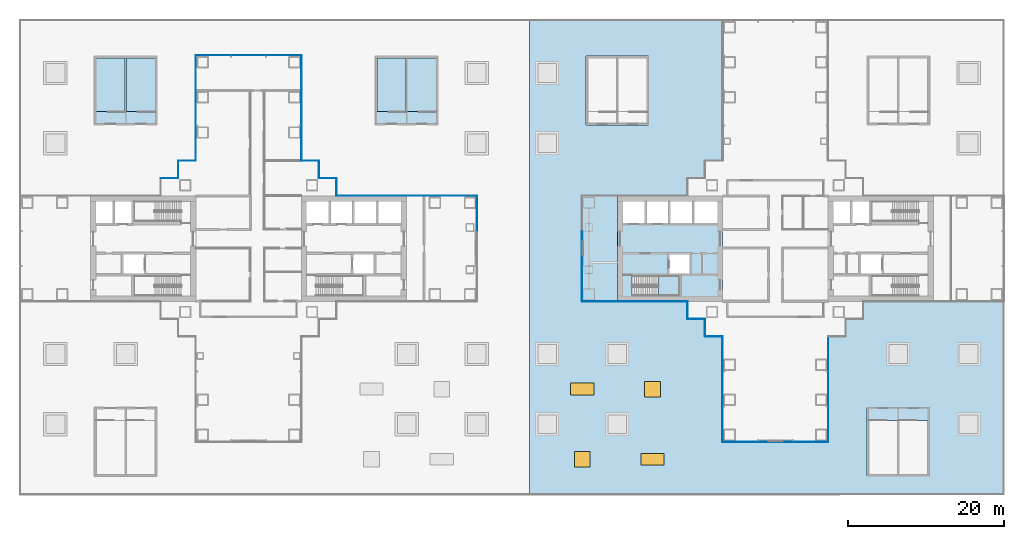
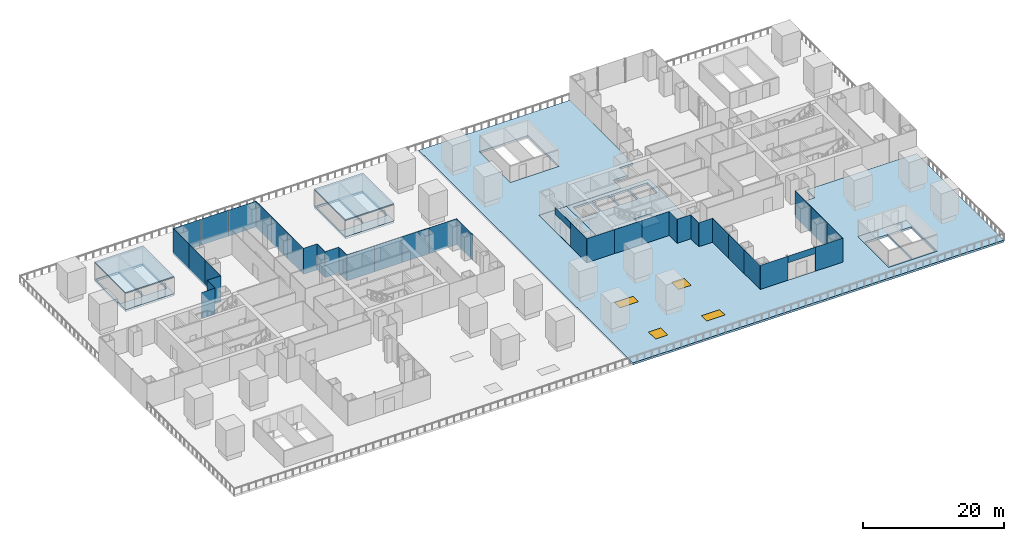
# One storey, part 12 of 23: 39 plates, 9 slabs, 4 windows, 4 openings, 16 elements without a shape of their own.
"""IFC4 building model written with IfcOpenShell, lengths in metres."""

from ifc_helpers import new_model, si_unit, direction, frame, origin, origin_2d, place, context, subcontext, project, spatial, polyline, rectangle, outline, extrude, material, layer, layer_set, type_object, element, fill, aggregate, save


model = new_model("IFC4")

# Units and contexts
model_context = context("Model", 3, precision=1e-05, world=origin(), true_north=direction((0.0, 1.0)))
body_context = subcontext(model_context, "Body", "Model", "MODEL_VIEW")
ifc_project = project(units=[si_unit("LENGTHUNIT", "METRE"), si_unit("AREAUNIT", "SQUARE_METRE"), si_unit("VOLUMEUNIT", "CUBIC_METRE"), si_unit("PLANEANGLEUNIT", "RADIAN"), si_unit("MASSUNIT", "GRAM", prefix="KILO")], contexts=[model_context])

# Site, building, storey
site_placement = place(None, origin())
site = spatial("IfcSite", under=ifc_project, at=site_placement, CompositionType="ELEMENT")
building_placement = place(site_placement, origin())
building = spatial("IfcBuilding", under=site, at=building_placement, Name="Shamsa Quay Exchange Towers", CompositionType="ELEMENT")
storey_placement = place(building_placement, frame((0.0, 0.0, 28.5)))
storey = spatial("IfcBuildingStorey", under=building, at=storey_placement, Name="L05", CompositionType="ELEMENT", Elevation=28.5)

# Slabs
ifc_material_1 = material(Name="Concrete C50/60", Category="concrete")
ifc_layer_1 = layer(ifc_material_1, 0.35009765625)
ifc_layer_set_1 = layer_set([ifc_layer_1], Name="CORE FLOOR 350 C50/60")
slab_type_1 = type_object("IfcSlabType", Name="CORE FLOOR 350 C50/60", PredefinedType="FLOOR", material=ifc_layer_set_1)
slab_1_placement = place(storey_placement, frame((0.0, 0.0, -0.35009765625)))
element("IfcSlab", 1, at=slab_1_placement, inside=storey, type_object=slab_type_1, Name="Core floor T2A", PredefinedType="FLOOR", context=body_context, shape_type="SweptSolid", body=[
    extrude(outline(polyline([(13.5, -6.75), (27.0, -6.75), (27.0, 6.75), (13.5, 6.75), (13.5, -6.75)]), holes=[polyline([(15.400634765625, -6.050048828125), (15.400634765625, -3.5), (21.5, -3.5), (21.5, -6.050048828125), (15.400634765625, -6.050048828125)]), polyline([(14.199951171875, 3.25), (14.199951171875, 6.050048828125), (17.0, 6.050048828125), (17.0, 3.25), (14.199951171875, 3.25)]), polyline([(17.25, 3.25), (17.25, 6.050048828125), (20.050048828125, 6.050048828125), (20.050048828125, 3.25), (17.25, 3.25)]), polyline([(20.300048828125, 3.25), (20.300048828125, 6.050048828125), (23.10009765625, 6.050048828125), (23.10009765625, 3.25), (20.300048828125, 3.25)]), polyline([(23.35009765625, 3.25), (23.35009765625, 6.050048828125), (26.300048828125, 6.050048828125), (26.300048828125, 3.25), (23.35009765625, 3.25)]), polyline([(20.14990234375, -3.25), (20.14990234375, -0.75), (22.800048828125, -0.75), (22.800048828125, -3.25), (20.14990234375, -3.25)])]), origin(), (0.0, 0.0, 1.0), 0.35009765625),
])
slab_2_placement = place(storey_placement, frame((0.0, 0.0, -0.35009765625)))
element("IfcSlab", 2, at=slab_2_placement, inside=storey, type_object=slab_type_1, Name="Stair floor PS1", PredefinedType="FLOOR", context=body_context, shape_type="SweptSolid", body=[
    extrude(outline(polyline([(-53.5, 15.85009765625), (-45.5, 15.85009765625), (-45.5, 24.64990234375), (-53.5, 24.64990234375), (-53.5, 15.85009765625)]), holes=[polyline([(-49.574951171875, 17.55078125), (-53.300048828125, 17.55078125), (-53.300048828125, 24.449951171875), (-49.574951171875, 24.449951171875), (-49.574951171875, 17.55078125)]), polyline([(-45.699951171875, 17.55078125), (-49.425048828125, 17.55078125), (-49.425048828125, 24.449951171875), (-45.699951171875, 24.449951171875), (-45.699951171875, 17.55078125)])]), origin(), (0.0, 0.0, 1.0), 0.35009765625),
])
slab_3_placement = place(storey_placement, frame((0.0, 0.0, -0.35009765625)))
element("IfcSlab", 3, at=slab_3_placement, inside=storey, type_object=slab_type_1, Name="Stair floor PS2", PredefinedType="FLOOR", context=body_context, shape_type="SweptSolid", body=[
    extrude(outline(polyline([(-17.5, 15.85009765625), (-9.5, 15.85009765625), (-9.5, 24.64990234375), (-17.5, 24.64990234375), (-17.5, 15.85009765625)]), holes=[polyline([(-13.574951171875, 17.55078125), (-17.300048828125, 17.55078125), (-17.300048828125, 24.449951171875), (-13.574951171875, 24.449951171875), (-13.574951171875, 17.55078125)]), polyline([(-9.699951171875, 17.55078125), (-13.425048828125, 17.55078125), (-13.425048828125, 24.449951171875), (-9.699951171875, 24.449951171875), (-9.699951171875, 17.55078125)])]), origin(), (0.0, 0.0, 1.0), 0.35009765625),
])
slab_4_placement = place(storey_placement, frame((0.0, 0.0, -0.35009765625)))
element("IfcSlab", 4, at=slab_4_placement, inside=storey, type_object=slab_type_1, Name="Stair floor PS6", PredefinedType="FLOOR", context=body_context, shape_type="SweptSolid", body=[
    extrude(outline(polyline([(45.5, -29.14990234375), (53.5, -29.14990234375), (53.5, -20.35009765625), (45.5, -20.35009765625), (45.5, -29.14990234375)]), holes=[polyline([(45.699951171875, -22.05078125), (49.425048828125, -22.05078125), (49.425048828125, -28.949951171875), (45.699951171875, -28.949951171875), (45.699951171875, -22.05078125)]), polyline([(49.574951171875, -22.05078125), (53.300048828125, -22.05078125), (53.300048828125, -28.949951171875), (49.574951171875, -28.949951171875), (49.574951171875, -22.05078125)])]), origin(), (0.0, 0.0, 1.0), 0.35009765625),
])

# Stair, slab
ifc_material_2 = material(Name="Concrete C40/50", Category="concrete")
stair_type = type_object("IfcStairType", Name="EXIT STAIR 26 RISERS 173 MM", PredefinedType="HALF_TURN_STAIR", material=ifc_material_2)
stair_placement = place(storey_placement, origin())
stair = element("IfcStair", 5, at=stair_placement, inside=storey, type_object=stair_type, Name="L05 Exit stair ST4", PredefinedType="HALF_TURN_STAIR")
ifc_layer_2 = layer(ifc_material_2, 0.199951171875)
ifc_layer_set_2 = layer_set([ifc_layer_2], Name="CORE STAIR LANDING")
slab_type_2 = type_object("IfcSlabType", Name="CORE STAIR LANDING", PredefinedType="LANDING", material=ifc_layer_set_2)
slab_5_placement = place(storey_placement, frame((0.0, 0.0, 2.050048828125)))
slab_5 = element("IfcSlab", 6, at=slab_5_placement, type_object=slab_type_2, Name="ST4 landing 1", PredefinedType="LANDING", context=body_context, shape_type="SweptSolid", body=[
    extrude(outline(polyline([(18.760009765625, -6.050048828125), (21.5, -6.050048828125), (21.5, -3.5), (18.760009765625, -3.5), (18.760009765625, -6.050048828125)])), origin(), (0.0, 0.0, 1.0), 0.199951171875),
])
aggregate(stair, [slab_5])

# Curtain wall, plate
ifc_material_3 = material(Name="Aluminium EN AW-6063 T6, black anodised", Category="aluminium")
ifc_layer_3 = layer(ifc_material_3, 0.280029296875)
ifc_layer_set_3 = layer_set([ifc_layer_3], Name="CW-1 UNITISED VISION GLASS")
curtain_wall_type_1 = type_object("IfcCurtainWallType", Name="CW-1 UNITISED VISION GLASS", PredefinedType="NOTDEFINED", material=ifc_layer_set_3)
curtain_wall_1_placement = place(storey_placement, origin())
curtain_wall_1 = element("IfcCurtainWall", 7, at=curtain_wall_1_placement, inside=storey, type_object=curtain_wall_type_1, Name="CW1 T1-END-U+ L05", PredefinedType="NOTDEFINED")
ifc_material_4 = material(Name="Glass, laminated, dark tinted", Category="glass")
ifc_layer_4 = layer(ifc_material_4, 0.0400390625)
ifc_layer_set_4 = layer_set([ifc_layer_4], Name="CW-1 VISION GLASS 40")
plate_type_1 = type_object("IfcPlateType", Name="CW-1 VISION GLASS 40", PredefinedType="CURTAIN_PANEL", material=ifc_layer_set_4)
plate_1_placement = place(storey_placement, frame((-4.47998046875, 4.50244140625, -0.35009765625), z_axis=(0.0, 0.0, 1.0), x_axis=(0.0, 1.0, 0.0)))
plate_1 = element("IfcPlate", 8, at=plate_1_placement, type_object=plate_type_1, Name="CW1 glass panel", PredefinedType="CURTAIN_PANEL", context=body_context, shape_type="SweptSolid", body=[
    extrude(rectangle(XDim=4.4951171875, YDim=0.0400390625, at=origin_2d()), origin(), (0.0, 0.0, 1.0), 4.5),
])
aggregate(curtain_wall_1, [plate_1])

# Curtain wall, plates
curtain_wall_2_placement = place(storey_placement, origin())
curtain_wall_2 = element("IfcCurtainWall", 9, at=curtain_wall_2_placement, inside=storey, type_object=curtain_wall_type_1, Name="CW1 T1-FLK-U+N L05", PredefinedType="NOTDEFINED")
plate_2_placement = place(storey_placement, frame((-6.74755859375, 6.77001953125, -0.35009765625), z_axis=(0.0, 0.0, 1.0), x_axis=(-1.0, 0.0, 0.0)))
plate_2 = element("IfcPlate", 10, at=plate_2_placement, type_object=plate_type_1, Name="CW1 glass panel", PredefinedType="CURTAIN_PANEL", context=body_context, shape_type="SweptSolid", body=[
    extrude(rectangle(XDim=4.4951171875, YDim=0.0400390625, at=origin_2d()), origin(), (0.0, 0.0, 1.0), 4.5),
])
plate_3_placement = place(storey_placement, frame((-11.25244140625, 6.77001953125, -0.35009765625), z_axis=(0.0, 0.0, 1.0), x_axis=(-1.0, 0.0, 0.0)))
plate_3 = element("IfcPlate", 11, at=plate_3_placement, type_object=plate_type_1, Name="CW1 glass panel", PredefinedType="CURTAIN_PANEL", context=body_context, shape_type="SweptSolid", body=[
    extrude(rectangle(XDim=4.4951171875, YDim=0.0400390625, at=origin_2d()), origin(), (0.0, 0.0, 1.0), 4.5),
])
aggregate(curtain_wall_2, [plate_2, plate_3])

curtain_wall_3_placement = place(storey_placement, origin())
curtain_wall_3 = element("IfcCurtainWall", 12, at=curtain_wall_3_placement, inside=storey, type_object=curtain_wall_type_1, Name="CW1 T1-FLK-V+E L05", PredefinedType="NOTDEFINED")
plate_4_placement = place(storey_placement, frame((-26.97998046875, 13.529052734375, -0.35009765625), z_axis=(0.0, 0.0, 1.0), x_axis=(0.0, 1.0, 0.0)))
plate_4 = element("IfcPlate", 13, at=plate_4_placement, type_object=plate_type_1, Name="CW1 glass panel", PredefinedType="CURTAIN_PANEL", context=body_context, shape_type="SweptSolid", body=[
    extrude(rectangle(XDim=4.482421875, YDim=0.0400390625, at=origin_2d()), origin(), (0.0, 0.0, 1.0), 4.5),
])
plate_5_placement = place(storey_placement, frame((-26.97998046875, 18.01904296875, -0.35009765625), z_axis=(0.0, 0.0, 1.0), x_axis=(0.0, 1.0, 0.0)))
plate_5 = element("IfcPlate", 14, at=plate_5_placement, type_object=plate_type_1, Name="CW1 glass panel", PredefinedType="CURTAIN_PANEL", context=body_context, shape_type="SweptSolid", body=[
    extrude(rectangle(XDim=4.477294921875, YDim=0.0400390625, at=origin_2d()), origin(), (0.0, 0.0, 1.0), 4.5),
])
plate_6_placement = place(storey_placement, frame((-26.97998046875, 22.5087890625, -0.35009765625), z_axis=(0.0, 0.0, 1.0), x_axis=(0.0, 1.0, 0.0)))
plate_6 = element("IfcPlate", 15, at=plate_6_placement, type_object=plate_type_1, Name="CW1 glass panel", PredefinedType="CURTAIN_PANEL", context=body_context, shape_type="SweptSolid", body=[
    extrude(rectangle(XDim=4.482421875, YDim=0.0400390625, at=origin_2d()), origin(), (0.0, 0.0, 1.0), 4.5),
])
aggregate(curtain_wall_3, [plate_4, plate_5, plate_6])

curtain_wall_4_placement = place(storey_placement, origin())
curtain_wall_4 = element("IfcCurtainWall", 16, at=curtain_wall_4_placement, inside=storey, type_object=curtain_wall_type_1, Name="CW1 T1-END-V+ L05", PredefinedType="NOTDEFINED")
plate_7_placement = place(storey_placement, frame((-29.24755859375, 24.77001953125, -0.35009765625), z_axis=(0.0, 0.0, 1.0), x_axis=(-1.0, 0.0, 0.0)))
plate_7 = element("IfcPlate", 17, at=plate_7_placement, type_object=plate_type_1, Name="CW1 glass panel", PredefinedType="CURTAIN_PANEL", context=body_context, shape_type="SweptSolid", body=[
    extrude(rectangle(XDim=4.4951171875, YDim=0.0400390625, at=origin_2d()), origin(), (0.0, 0.0, 1.0), 4.5),
])
plate_8_placement = place(storey_placement, frame((-33.75, 24.77001953125, -0.35009765625), z_axis=(0.0, 0.0, 1.0), x_axis=(-1.0, 0.0, 0.0)))
plate_8 = element("IfcPlate", 18, at=plate_8_placement, type_object=plate_type_1, Name="CW1 glass panel", PredefinedType="CURTAIN_PANEL", context=body_context, shape_type="SweptSolid", body=[
    extrude(rectangle(XDim=4.489990234375, YDim=0.0400390625, at=origin_2d()), origin(), (0.0, 0.0, 1.0), 4.5),
])
plate_9_placement = place(storey_placement, frame((-38.25244140625, 24.77001953125, -0.35009765625), z_axis=(0.0, 0.0, 1.0), x_axis=(-1.0, 0.0, 0.0)))
plate_9 = element("IfcPlate", 19, at=plate_9_placement, type_object=plate_type_1, Name="CW1 glass panel", PredefinedType="CURTAIN_PANEL", context=body_context, shape_type="SweptSolid", body=[
    extrude(rectangle(XDim=4.4951171875, YDim=0.0400390625, at=origin_2d()), origin(), (0.0, 0.0, 1.0), 4.5),
])
aggregate(curtain_wall_4, [plate_7, plate_8, plate_9])

curtain_wall_5_placement = place(storey_placement, origin())
curtain_wall_5 = element("IfcCurtainWall", 20, at=curtain_wall_5_placement, inside=storey, type_object=curtain_wall_type_1, Name="CW1 T1-FLK-V+W L05", PredefinedType="NOTDEFINED")
plate_10_placement = place(storey_placement, frame((-40.52001953125, 22.50244140625, -0.35009765625), z_axis=(0.0, 0.0, 1.0), x_axis=(0.0, -1.0, 0.0)))
plate_10 = element("IfcPlate", 21, at=plate_10_placement, type_object=plate_type_1, Name="CW1 glass panel", PredefinedType="CURTAIN_PANEL", context=body_context, shape_type="SweptSolid", body=[
    extrude(rectangle(XDim=4.4951171875, YDim=0.0400390625, at=origin_2d()), origin(), (0.0, 0.0, 1.0), 4.5),
])
plate_11_placement = place(storey_placement, frame((-40.52001953125, 18.0, -0.35009765625), z_axis=(0.0, 0.0, 1.0), x_axis=(0.0, -1.0, 0.0)))
plate_11 = element("IfcPlate", 22, at=plate_11_placement, type_object=plate_type_1, Name="CW1 glass panel", PredefinedType="CURTAIN_PANEL", context=body_context, shape_type="SweptSolid", body=[
    extrude(rectangle(XDim=4.489990234375, YDim=0.0400390625, at=origin_2d()), origin(), (0.0, 0.0, 1.0), 4.5),
])
plate_12_placement = place(storey_placement, frame((-40.52001953125, 13.49755859375, -0.35009765625), z_axis=(0.0, 0.0, 1.0), x_axis=(0.0, -1.0, 0.0)))
plate_12 = element("IfcPlate", 23, at=plate_12_placement, type_object=plate_type_1, Name="CW1 glass panel", PredefinedType="CURTAIN_PANEL", context=body_context, shape_type="SweptSolid", body=[
    extrude(rectangle(XDim=4.4951171875, YDim=0.0400390625, at=origin_2d()), origin(), (0.0, 0.0, 1.0), 4.5),
])
aggregate(curtain_wall_5, [plate_10, plate_11, plate_12])

curtain_wall_6_placement = place(storey_placement, origin())
curtain_wall_6 = element("IfcCurtainWall", 24, at=curtain_wall_6_placement, inside=storey, type_object=curtain_wall_type_1, Name="CW1 T2-END-V+ L05", PredefinedType="NOTDEFINED")
plate_13_placement = place(storey_placement, frame((8.97998046875, 0.0, 3.0), z_axis=(0.0, 0.0, 1.0), x_axis=(0.0, -1.0, 0.0)))
plate_13 = element("IfcPlate", 25, at=plate_13_placement, type_object=plate_type_1, Name="CW1 glass panel", PredefinedType="CURTAIN_PANEL", context=body_context, shape_type="SweptSolid", body=[
    extrude(rectangle(XDim=4.489990234375, YDim=0.0400390625, at=origin_2d()), origin(), (0.0, 0.0, 1.0), 1.14990234375),
])
plate_14_placement = place(storey_placement, frame((8.97998046875, -4.50244140625, -0.35009765625), z_axis=(0.0, 0.0, 1.0), x_axis=(0.0, -1.0, 0.0)))
plate_14 = element("IfcPlate", 26, at=plate_14_placement, type_object=plate_type_1, Name="CW1 glass panel", PredefinedType="CURTAIN_PANEL", context=body_context, shape_type="SweptSolid", body=[
    extrude(rectangle(XDim=4.4951171875, YDim=0.0400390625, at=origin_2d()), origin(), (0.0, 0.0, 1.0), 4.5),
])
aggregate(curtain_wall_6, [plate_13, plate_14])

# Curtain wall, plate
curtain_wall_7_placement = place(storey_placement, origin())
curtain_wall_7 = element("IfcCurtainWall", 27, at=curtain_wall_7_placement, inside=storey, type_object=curtain_wall_type_1, Name="CW1 T2-FLK-V+W L05", PredefinedType="NOTDEFINED")
plate_15_placement = place(storey_placement, frame((11.25, -6.77001953125, -0.35009765625)))
plate_15 = element("IfcPlate", 28, at=plate_15_placement, type_object=plate_type_1, Name="CW1 glass panel", PredefinedType="CURTAIN_PANEL", context=body_context, shape_type="SweptSolid", body=[
    extrude(rectangle(XDim=4.5, YDim=0.0400390625, at=origin_2d()), origin(), (0.0, 0.0, 1.0), 4.5),
])
aggregate(curtain_wall_7, [plate_15])

# Curtain wall, plates
curtain_wall_8_placement = place(storey_placement, origin())
curtain_wall_8 = element("IfcCurtainWall", 29, at=curtain_wall_8_placement, inside=storey, type_object=curtain_wall_type_1, Name="CW1 T2-FLK-U-N L05", PredefinedType="NOTDEFINED")
plate_16_placement = place(storey_placement, frame((26.97998046875, -13.529052734375, -0.35009765625), z_axis=(0.0, 0.0, 1.0), x_axis=(0.0, -1.0, 0.0)))
plate_16 = element("IfcPlate", 30, at=plate_16_placement, type_object=plate_type_1, Name="CW1 glass panel", PredefinedType="CURTAIN_PANEL", context=body_context, shape_type="SweptSolid", body=[
    extrude(rectangle(XDim=4.482421875, YDim=0.0400390625, at=origin_2d()), origin(), (0.0, 0.0, 1.0), 4.5),
])
plate_17_placement = place(storey_placement, frame((26.97998046875, -18.01904296875, -0.35009765625), z_axis=(0.0, 0.0, 1.0), x_axis=(0.0, -1.0, 0.0)))
plate_17 = element("IfcPlate", 31, at=plate_17_placement, type_object=plate_type_1, Name="CW1 glass panel", PredefinedType="CURTAIN_PANEL", context=body_context, shape_type="SweptSolid", body=[
    extrude(rectangle(XDim=4.477294921875, YDim=0.0400390625, at=origin_2d()), origin(), (0.0, 0.0, 1.0), 4.5),
])
plate_18_placement = place(storey_placement, frame((26.97998046875, -22.5087890625, -0.35009765625), z_axis=(0.0, 0.0, 1.0), x_axis=(0.0, -1.0, 0.0)))
plate_18 = element("IfcPlate", 32, at=plate_18_placement, type_object=plate_type_1, Name="CW1 glass panel", PredefinedType="CURTAIN_PANEL", context=body_context, shape_type="SweptSolid", body=[
    extrude(rectangle(XDim=4.482421875, YDim=0.0400390625, at=origin_2d()), origin(), (0.0, 0.0, 1.0), 4.5),
])
aggregate(curtain_wall_8, [plate_16, plate_17, plate_18])

curtain_wall_9_placement = place(storey_placement, origin())
curtain_wall_9 = element("IfcCurtainWall", 33, at=curtain_wall_9_placement, inside=storey, type_object=curtain_wall_type_1, Name="CW1 T2-END-U- L05", PredefinedType="NOTDEFINED")
plate_19_placement = place(storey_placement, frame((29.24755859375, -24.77001953125, -0.35009765625)))
plate_19 = element("IfcPlate", 34, at=plate_19_placement, type_object=plate_type_1, Name="CW1 glass panel", PredefinedType="CURTAIN_PANEL", context=body_context, shape_type="SweptSolid", body=[
    extrude(rectangle(XDim=4.4951171875, YDim=0.0400390625, at=origin_2d()), origin(), (0.0, 0.0, 1.0), 4.5),
])
plate_20_placement = place(storey_placement, frame((33.75, -24.77001953125, 3.0)))
plate_20 = element("IfcPlate", 35, at=plate_20_placement, type_object=plate_type_1, Name="CW1 glass panel", PredefinedType="CURTAIN_PANEL", context=body_context, shape_type="SweptSolid", body=[
    extrude(rectangle(XDim=4.489990234375, YDim=0.0400390625, at=origin_2d()), origin(), (0.0, 0.0, 1.0), 1.14990234375),
])
plate_21_placement = place(storey_placement, frame((38.25244140625, -24.77001953125, -0.35009765625)))
plate_21 = element("IfcPlate", 36, at=plate_21_placement, type_object=plate_type_1, Name="CW1 glass panel", PredefinedType="CURTAIN_PANEL", context=body_context, shape_type="SweptSolid", body=[
    extrude(rectangle(XDim=4.4951171875, YDim=0.0400390625, at=origin_2d()), origin(), (0.0, 0.0, 1.0), 4.5),
])
aggregate(curtain_wall_9, [plate_19, plate_20, plate_21])

curtain_wall_10_placement = place(storey_placement, origin())
curtain_wall_10 = element("IfcCurtainWall", 37, at=curtain_wall_10_placement, inside=storey, type_object=curtain_wall_type_1, Name="CW1 T2-FLK-U-S L05", PredefinedType="NOTDEFINED")
plate_22_placement = place(storey_placement, frame((40.52001953125, -22.50244140625, -0.35009765625), z_axis=(0.0, 0.0, 1.0), x_axis=(0.0, 1.0, 0.0)))
plate_22 = element("IfcPlate", 38, at=plate_22_placement, type_object=plate_type_1, Name="CW1 glass panel", PredefinedType="CURTAIN_PANEL", context=body_context, shape_type="SweptSolid", body=[
    extrude(rectangle(XDim=4.4951171875, YDim=0.0400390625, at=origin_2d()), origin(), (0.0, 0.0, 1.0), 4.5),
])
plate_23_placement = place(storey_placement, frame((40.52001953125, -18.0, -0.35009765625), z_axis=(0.0, 0.0, 1.0), x_axis=(0.0, 1.0, 0.0)))
plate_23 = element("IfcPlate", 39, at=plate_23_placement, type_object=plate_type_1, Name="CW1 glass panel", PredefinedType="CURTAIN_PANEL", context=body_context, shape_type="SweptSolid", body=[
    extrude(rectangle(XDim=4.489990234375, YDim=0.0400390625, at=origin_2d()), origin(), (0.0, 0.0, 1.0), 4.5),
])
plate_24_placement = place(storey_placement, frame((40.52001953125, -13.49755859375, -0.35009765625), z_axis=(0.0, 0.0, 1.0), x_axis=(0.0, 1.0, 0.0)))
plate_24 = element("IfcPlate", 40, at=plate_24_placement, type_object=plate_type_1, Name="CW1 glass panel", PredefinedType="CURTAIN_PANEL", context=body_context, shape_type="SweptSolid", body=[
    extrude(rectangle(XDim=4.4951171875, YDim=0.0400390625, at=origin_2d()), origin(), (0.0, 0.0, 1.0), 4.5),
])
aggregate(curtain_wall_10, [plate_22, plate_23, plate_24])

ifc_layer_5 = layer(ifc_material_3, 0.303955078125)
ifc_layer_set_5 = layer_set([ifc_layer_5], Name="CW-2 UNITISED OPAQUE SPANDREL GLASS")
curtain_wall_type_2 = type_object("IfcCurtainWallType", Name="CW-2 UNITISED OPAQUE SPANDREL GLASS", PredefinedType="NOTDEFINED", material=ifc_layer_set_5)
curtain_wall_11_placement = place(storey_placement, origin())
curtain_wall_11 = element("IfcCurtainWall", 41, at=curtain_wall_11_placement, inside=storey, type_object=curtain_wall_type_2, Name="CW2 T1-FLK-U+N L05", PredefinedType="NOTDEFINED")
ifc_material_5 = material(Name="Glass, laminated, black enamelled opaque", Category="glass")
ifc_layer_6 = layer(ifc_material_5, 0.0439453125)
ifc_layer_set_6 = layer_set([ifc_layer_6], Name="CW-2 SPANDREL GLASS 44")
plate_type_2 = type_object("IfcPlateType", Name="CW-2 SPANDREL GLASS 44", PredefinedType="CURTAIN_PANEL", material=ifc_layer_set_6)
plate_25_placement = place(storey_placement, frame((-15.74755859375, 6.77197265625, -0.35009765625), z_axis=(0.0, 0.0, 1.0), x_axis=(-1.0, 0.0, 0.0)))
plate_25 = element("IfcPlate", 42, at=plate_25_placement, type_object=plate_type_2, Name="CW2 glass panel", PredefinedType="CURTAIN_PANEL", context=body_context, shape_type="SweptSolid", body=[
    extrude(rectangle(XDim=4.4951171875, YDim=0.0439453125, at=origin_2d()), origin(), (0.0, 0.0, 1.0), 4.5),
])
plate_26_placement = place(storey_placement, frame((-20.25244140625, 6.77197265625, -0.35009765625), z_axis=(0.0, 0.0, 1.0), x_axis=(-1.0, 0.0, 0.0)))
plate_26 = element("IfcPlate", 43, at=plate_26_placement, type_object=plate_type_2, Name="CW2 glass panel", PredefinedType="CURTAIN_PANEL", context=body_context, shape_type="SweptSolid", body=[
    extrude(rectangle(XDim=4.4951171875, YDim=0.0439453125, at=origin_2d()), origin(), (0.0, 0.0, 1.0), 4.5),
])
aggregate(curtain_wall_11, [plate_25, plate_26])

curtain_wall_12_placement = place(storey_placement, origin())
curtain_wall_12 = element("IfcCurtainWall", 44, at=curtain_wall_12_placement, inside=storey, type_object=curtain_wall_type_2, Name="CW2 T2-FLK-V+W L05", PredefinedType="NOTDEFINED")
plate_27_placement = place(storey_placement, frame((15.74755859375, -6.77197265625, -0.35009765625)))
plate_27 = element("IfcPlate", 45, at=plate_27_placement, type_object=plate_type_2, Name="CW2 glass panel", PredefinedType="CURTAIN_PANEL", context=body_context, shape_type="SweptSolid", body=[
    extrude(rectangle(XDim=4.4951171875, YDim=0.0439453125, at=origin_2d()), origin(), (0.0, 0.0, 1.0), 4.5),
])
plate_28_placement = place(storey_placement, frame((20.25244140625, -6.77197265625, -0.35009765625)))
plate_28 = element("IfcPlate", 46, at=plate_28_placement, type_object=plate_type_2, Name="CW2 glass panel", PredefinedType="CURTAIN_PANEL", context=body_context, shape_type="SweptSolid", body=[
    extrude(rectangle(XDim=4.4951171875, YDim=0.0439453125, at=origin_2d()), origin(), (0.0, 0.0, 1.0), 4.5),
])
aggregate(curtain_wall_12, [plate_27, plate_28])

ifc_layer_7 = layer(ifc_material_3, 0.256103515625)
ifc_layer_set_7 = layer_set([ifc_layer_7], Name="CW-4 POCKET SERRATED GLAZING")
curtain_wall_type_3 = type_object("IfcCurtainWallType", Name="CW-4 POCKET SERRATED GLAZING", PredefinedType="NOTDEFINED", material=ifc_layer_set_7)
curtain_wall_13_placement = place(storey_placement, origin())
curtain_wall_13 = element("IfcCurtainWall", 47, at=curtain_wall_13_placement, inside=storey, type_object=curtain_wall_type_3, Name="CW4 PKEN L05", PredefinedType="NOTDEFINED")
ifc_layer_8 = layer(ifc_material_4, 0.035888671875)
ifc_layer_set_8 = layer_set([ifc_layer_8], Name="CW-4 POCKET GLASS 36")
plate_type_3 = type_object("IfcPlateType", Name="CW-4 POCKET GLASS 36", PredefinedType="CURTAIN_PANEL", material=ifc_layer_set_8)
plate_29_placement = place(storey_placement, frame((-22.48193359375, 7.89794921875, -0.35009765625), z_axis=(0.0, 0.0, 1.0), x_axis=(0.0, 1.0, 0.0)))
plate_29 = element("IfcPlate", 48, at=plate_29_placement, type_object=plate_type_3, Name="CW4 glass panel", PredefinedType="CURTAIN_PANEL", context=body_context, shape_type="SweptSolid", body=[
    extrude(rectangle(XDim=2.2041015625, YDim=0.035888671875, at=origin_2d()), origin(), (0.0, 0.0, 1.0), 4.5),
])
plate_30_placement = place(storey_placement, frame((-23.625, 9.01806640625, -0.35009765625), z_axis=(0.0, 0.0, 1.0), x_axis=(-1.0, 0.0, 0.0)))
plate_30 = element("IfcPlate", 49, at=plate_30_placement, type_object=plate_type_3, Name="CW4 glass panel", PredefinedType="CURTAIN_PANEL", context=body_context, shape_type="SweptSolid", body=[
    extrude(rectangle(XDim=2.25, YDim=0.035888671875, at=origin_2d()), origin(), (0.0, 0.0, 1.0), 4.5),
])
plate_31_placement = place(storey_placement, frame((-24.73193359375, 10.14404296875, -0.35009765625), z_axis=(0.0, 0.0, 1.0), x_axis=(0.0, 1.0, 0.0)))
plate_31 = element("IfcPlate", 50, at=plate_31_placement, type_object=plate_type_3, Name="CW4 glass panel", PredefinedType="CURTAIN_PANEL", context=body_context, shape_type="SweptSolid", body=[
    extrude(rectangle(XDim=2.2119140625, YDim=0.035888671875, at=origin_2d()), origin(), (0.0, 0.0, 1.0), 4.5),
])
plate_32_placement = place(storey_placement, frame((-25.875, 11.26806640625, -0.35009765625), z_axis=(0.0, 0.0, 1.0), x_axis=(-1.0, 0.0, 0.0)))
plate_32 = element("IfcPlate", 51, at=plate_32_placement, type_object=plate_type_3, Name="CW4 glass panel", PredefinedType="CURTAIN_PANEL", context=body_context, shape_type="SweptSolid", body=[
    extrude(rectangle(XDim=2.25, YDim=0.035888671875, at=origin_2d()), origin(), (0.0, 0.0, 1.0), 4.5),
])
aggregate(curtain_wall_13, [plate_29, plate_30, plate_31, plate_32])

curtain_wall_14_placement = place(storey_placement, origin())
curtain_wall_14 = element("IfcCurtainWall", 52, at=curtain_wall_14_placement, inside=storey, type_object=curtain_wall_type_3, Name="CW4 PKWN L05", PredefinedType="NOTDEFINED")
plate_33_placement = place(storey_placement, frame((-41.64599609375, 11.26806640625, -0.35009765625), z_axis=(0.0, 0.0, 1.0), x_axis=(-1.0, 0.0, 0.0)))
plate_33 = element("IfcPlate", 53, at=plate_33_placement, type_object=plate_type_3, Name="CW4 glass panel", PredefinedType="CURTAIN_PANEL", context=body_context, shape_type="SweptSolid", body=[
    extrude(rectangle(XDim=2.2080078125, YDim=0.035888671875, at=origin_2d()), origin(), (0.0, 0.0, 1.0), 4.5),
])
plate_34_placement = place(storey_placement, frame((-42.76806640625, 10.125, -0.35009765625), z_axis=(0.0, 0.0, 1.0), x_axis=(0.0, -1.0, 0.0)))
plate_34 = element("IfcPlate", 54, at=plate_34_placement, type_object=plate_type_3, Name="CW4 glass panel", PredefinedType="CURTAIN_PANEL", context=body_context, shape_type="SweptSolid", body=[
    extrude(rectangle(XDim=2.25, YDim=0.035888671875, at=origin_2d()), origin(), (0.0, 0.0, 1.0), 4.5),
])
plate_35_placement = place(storey_placement, frame((-43.89404296875, 9.01806640625, -0.35009765625), z_axis=(0.0, 0.0, 1.0), x_axis=(-1.0, 0.0, 0.0)))
plate_35 = element("IfcPlate", 55, at=plate_35_placement, type_object=plate_type_3, Name="CW4 glass panel", PredefinedType="CURTAIN_PANEL", context=body_context, shape_type="SweptSolid", body=[
    extrude(rectangle(XDim=2.2119140625, YDim=0.035888671875, at=origin_2d()), origin(), (0.0, 0.0, 1.0), 4.5),
])
aggregate(curtain_wall_14, [plate_33, plate_34, plate_35])

curtain_wall_15_placement = place(storey_placement, origin())
curtain_wall_15 = element("IfcCurtainWall", 56, at=curtain_wall_15_placement, inside=storey, type_object=curtain_wall_type_3, Name="CW4 PKWN L05", PredefinedType="NOTDEFINED")
plate_36_placement = place(storey_placement, frame((22.48193359375, -7.89794921875, -0.35009765625), z_axis=(0.0, 0.0, 1.0), x_axis=(0.0, -1.0, 0.0)))
plate_36 = element("IfcPlate", 57, at=plate_36_placement, type_object=plate_type_3, Name="CW4 glass panel", PredefinedType="CURTAIN_PANEL", context=body_context, shape_type="SweptSolid", body=[
    extrude(rectangle(XDim=2.2041015625, YDim=0.035888671875, at=origin_2d()), origin(), (0.0, 0.0, 1.0), 4.5),
])
plate_37_placement = place(storey_placement, frame((23.625, -9.01806640625, -0.35009765625)))
plate_37 = element("IfcPlate", 58, at=plate_37_placement, type_object=plate_type_3, Name="CW4 glass panel", PredefinedType="CURTAIN_PANEL", context=body_context, shape_type="SweptSolid", body=[
    extrude(rectangle(XDim=2.25, YDim=0.035888671875, at=origin_2d()), origin(), (0.0, 0.0, 1.0), 4.5),
])
plate_38_placement = place(storey_placement, frame((24.73193359375, -10.14404296875, -0.35009765625), z_axis=(0.0, 0.0, 1.0), x_axis=(0.0, -1.0, 0.0)))
plate_38 = element("IfcPlate", 59, at=plate_38_placement, type_object=plate_type_3, Name="CW4 glass panel", PredefinedType="CURTAIN_PANEL", context=body_context, shape_type="SweptSolid", body=[
    extrude(rectangle(XDim=2.2119140625, YDim=0.035888671875, at=origin_2d()), origin(), (0.0, 0.0, 1.0), 4.5),
])
plate_39_placement = place(storey_placement, frame((25.875, -11.26806640625, -0.35009765625)))
plate_39 = element("IfcPlate", 60, at=plate_39_placement, type_object=plate_type_3, Name="CW4 glass panel", PredefinedType="CURTAIN_PANEL", context=body_context, shape_type="SweptSolid", body=[
    extrude(rectangle(XDim=2.25, YDim=0.035888671875, at=origin_2d()), origin(), (0.0, 0.0, 1.0), 4.5),
])
aggregate(curtain_wall_15, [plate_36, plate_37, plate_38, plate_39])

# Slabs
ifc_layer_9 = layer(ifc_material_2, 0.35009765625)
ifc_layer_set_9 = layer_set([ifc_layer_9], Name="Flat slab 350")
slab_type_3 = type_object("IfcSlabType", Name="Flat slab 350", PredefinedType="FLOOR", material=ifc_layer_set_9)
slab_6_placement = place(storey_placement, frame((0.0, 0.0, -0.35009765625)))
element("IfcSlab", 61, at=slab_6_placement, inside=storey, type_object=slab_type_3, Name="Flat slab T2 L05 4", PredefinedType="FLOOR", context=body_context, shape_type="SweptSolid", body=[
    extrude(outline(polyline([(9.0, -6.75), (13.5, -6.75), (13.5, 6.75), (9.0, 6.75), (9.0, -6.75)])), origin(), (0.0, 0.0, 1.0), 0.35009765625),
])
ifc_layer_10 = layer(ifc_material_2, 0.199951171875)
ifc_layer_set_10 = layer_set([ifc_layer_10], Name="HEAD-HOUSE ROOF 200 C40/50")
slab_type_4 = type_object("IfcSlabType", Name="HEAD-HOUSE ROOF 200 C40/50", PredefinedType="ROOF", material=ifc_layer_set_10)
slab_7_placement = place(storey_placement, frame((0.0, 0.0, 2.800048828125)))
element("IfcSlab", 62, at=slab_7_placement, inside=storey, type_object=slab_type_4, Name="Stair head roof PS1", PredefinedType="ROOF", context=body_context, shape_type="SweptSolid", body=[
    extrude(outline(polyline([(-53.5, 15.85009765625), (-45.5, 15.85009765625), (-45.5, 24.64990234375), (-53.5, 24.64990234375), (-53.5, 15.85009765625)])), origin(), (0.0, 0.0, 1.0), 0.199951171875),
])
slab_8_placement = place(storey_placement, frame((0.0, 0.0, 2.800048828125)))
element("IfcSlab", 63, at=slab_8_placement, inside=storey, type_object=slab_type_4, Name="Stair head roof PS2", PredefinedType="ROOF", context=body_context, shape_type="SweptSolid", body=[
    extrude(outline(polyline([(-17.5, 15.85009765625), (-9.5, 15.85009765625), (-9.5, 24.64990234375), (-17.5, 24.64990234375), (-17.5, 15.85009765625)])), origin(), (0.0, 0.0, 1.0), 0.199951171875),
])

# Slab, openings, windows
ifc_layer_11 = layer(ifc_material_2, 0.35009765625)
ifc_layer_set_11 = layer_set([ifc_layer_11], Name="Terrace roof slab 350")
slab_type_5 = type_object("IfcSlabType", Name="Terrace roof slab 350", PredefinedType="ROOF", material=ifc_layer_set_11)
slab_9_placement = place(storey_placement, frame((0.0, 0.0, -0.35009765625)))
slab_9 = element("IfcSlab", 64, at=slab_9_placement, inside=storey, type_object=slab_type_5, Name="Roof slab PD over L04 2", PredefinedType="ROOF", context=body_context, shape_type="SweptSolid", body=[
    extrude(outline(polyline([(26.97998046875, 29.25), (2.25, 29.25), (2.25, -31.5), (63.0, -31.5), (63.0, -6.77001953125), (45.02001953125, -6.77001953125), (45.02001953125, -9.02001953125), (42.77001953125, -9.02001953125), (42.77001953125, -11.27001953125), (40.52001953125, -11.27001953125), (40.52001953125, -24.77001953125), (26.97998046875, -24.77001953125), (26.97998046875, -11.27001953125), (24.72998046875, -11.27001953125), (24.72998046875, -9.02001953125), (22.47998046875, -9.02001953125), (22.47998046875, -6.77001953125), (8.97998046875, -6.77001953125), (8.97998046875, 6.77001953125), (22.47998046875, 6.77001953125), (22.47998046875, 9.02001953125), (24.72998046875, 9.02001953125), (24.72998046875, 11.27001953125), (26.97998046875, 11.27001953125), (26.97998046875, 29.25)]), holes=[polyline([(45.5, -29.14990234375), (53.5, -29.14990234375), (53.5, -20.35009765625), (45.5, -20.35009765625), (45.5, -29.14990234375)]), polyline([(9.5, 15.85009765625), (17.5, 15.85009765625), (17.5, 24.64990234375), (9.5, 24.64990234375), (9.5, 15.85009765625)])]), origin(), (0.0, 0.0, 1.0), 0.35009765625),
])
opening_1_placement = place(slab_9_placement, frame((9.0, -27.0, 0.0)))
opening_1 = element("IfcOpeningElement", 65, at=opening_1_placement, cuts=slab_9, Name="Opening SK1", PredefinedType="OPENING", context=body_context, shape_type="SweptSolid", body=[
    extrude(rectangle(XDim=2.0, YDim=2.0, at=origin_2d()), origin(), (0.0, 0.0, 1.0), 0.35009765625),
])
opening_2_placement = place(slab_9_placement, frame((9.0, -18.0, 0.0)))
opening_2 = element("IfcOpeningElement", 66, at=opening_2_placement, cuts=slab_9, Name="Opening SK2", PredefinedType="OPENING", context=body_context, shape_type="SweptSolid", body=[
    extrude(rectangle(XDim=3.0, YDim=1.5, at=origin_2d()), origin(), (0.0, 0.0, 1.0), 0.35009765625),
])
opening_3_placement = place(slab_9_placement, frame((18.0, -27.0, 0.0)))
opening_3 = element("IfcOpeningElement", 67, at=opening_3_placement, cuts=slab_9, Name="Opening SK2", PredefinedType="OPENING", context=body_context, shape_type="SweptSolid", body=[
    extrude(rectangle(XDim=3.0, YDim=1.5, at=origin_2d()), origin(), (0.0, 0.0, 1.0), 0.35009765625),
])
opening_4_placement = place(slab_9_placement, frame((18.0, -18.0, 0.0)))
opening_4 = element("IfcOpeningElement", 68, at=opening_4_placement, cuts=slab_9, Name="Opening SK1", PredefinedType="OPENING", context=body_context, shape_type="SweptSolid", body=[
    extrude(rectangle(XDim=2.0, YDim=2.0, at=origin_2d()), origin(), (0.0, 0.0, 1.0), 0.35009765625),
])
ifc_material_6 = material(Name="Aluminium EN AW-6063 T6, black anodised, with laminated glass", Category="aluminium")
window_type_1 = type_object("IfcWindowType", Name="ROOFLIGHT 2000x2000", PartitioningType="SINGLE_PANEL", PredefinedType="SKYLIGHT", material=ifc_material_6)
window_1_placement = place(opening_1_placement, frame((0.0, 0.0, 0.300048828125)))
window_1 = element("IfcWindow", 69, at=window_1_placement, inside=storey, type_object=window_type_1, Name="Rooflight L04 5", OverallHeight=2.0, OverallWidth=2.0, PartitioningType="SINGLE_PANEL", PredefinedType="SKYLIGHT", context=body_context, shape_type="SweptSolid", body=[
    extrude(rectangle(XDim=2.0, YDim=2.0, at=origin_2d()), origin(), (0.0, 0.0, 1.0), 0.050048828125),
])
fill(opening_1, window_1)
window_2_placement = place(opening_4_placement, frame((0.0, 0.0, 0.300048828125)))
window_2 = element("IfcWindow", 70, at=window_2_placement, inside=storey, type_object=window_type_1, Name="Rooflight L04 8", OverallHeight=2.0, OverallWidth=2.0, PartitioningType="SINGLE_PANEL", PredefinedType="SKYLIGHT", context=body_context, shape_type="SweptSolid", body=[
    extrude(rectangle(XDim=2.0, YDim=2.0, at=origin_2d()), origin(), (0.0, 0.0, 1.0), 0.050048828125),
])
fill(opening_4, window_2)
window_type_2 = type_object("IfcWindowType", Name="ROOFLIGHT 3000x1500", PartitioningType="SINGLE_PANEL", PredefinedType="SKYLIGHT", material=ifc_material_6)
window_3_placement = place(opening_2_placement, frame((0.0, 0.0, 0.300048828125)))
window_3 = element("IfcWindow", 71, at=window_3_placement, inside=storey, type_object=window_type_2, Name="Rooflight L04 6", OverallHeight=1.5, OverallWidth=3.0, PartitioningType="SINGLE_PANEL", PredefinedType="SKYLIGHT", context=body_context, shape_type="SweptSolid", body=[
    extrude(rectangle(XDim=3.0, YDim=1.5, at=origin_2d()), origin(), (0.0, 0.0, 1.0), 0.050048828125),
])
fill(opening_2, window_3)
window_4_placement = place(opening_3_placement, frame((0.0, 0.0, 0.300048828125)))
window_4 = element("IfcWindow", 72, at=window_4_placement, inside=storey, type_object=window_type_2, Name="Rooflight L04 7", OverallHeight=1.5, OverallWidth=3.0, PartitioningType="SINGLE_PANEL", PredefinedType="SKYLIGHT", context=body_context, shape_type="SweptSolid", body=[
    extrude(rectangle(XDim=3.0, YDim=1.5, at=origin_2d()), origin(), (0.0, 0.0, 1.0), 0.050048828125),
])
fill(opening_3, window_4)

save(model, "model.ifc")
